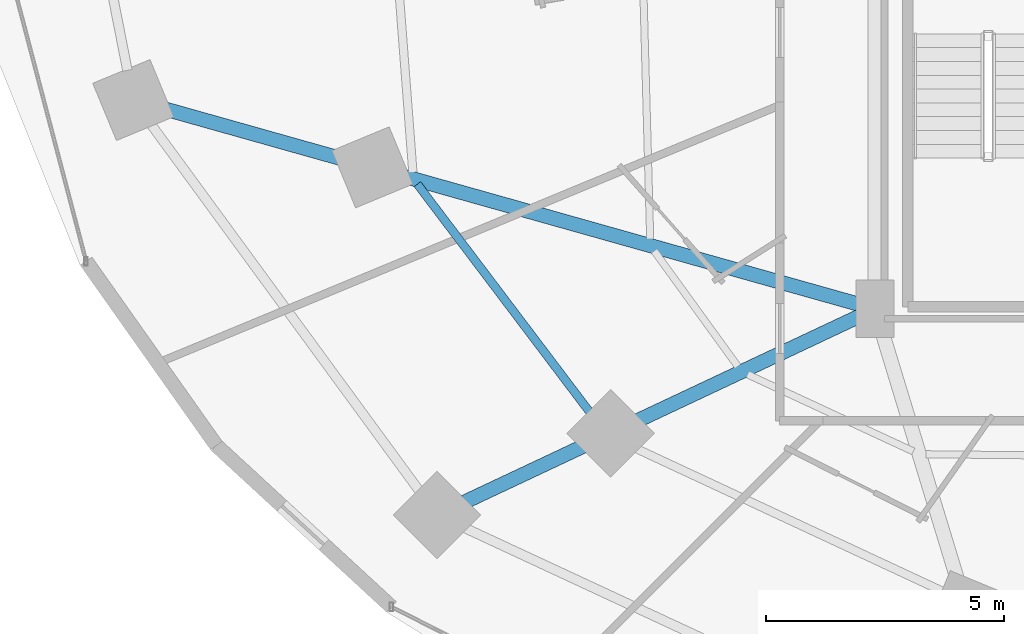
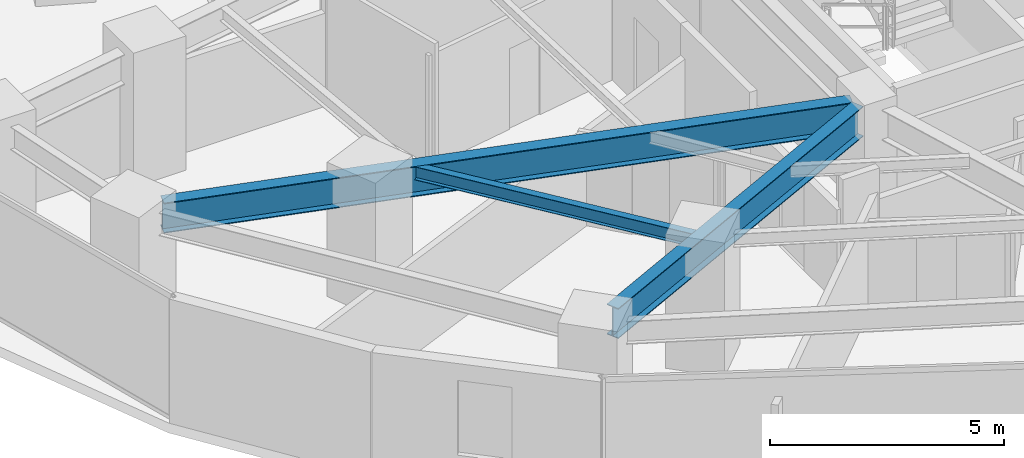
# One storey, part 4 of 34: 3 beams.
"""IFC4 building model written with IfcOpenShell, lengths in metres."""

from ifc_helpers import new_model, si_unit, direction, frame, origin, origin_2d, place, context, subcontext, project, spatial, i_section, extrude, material, material_profile, profile_set, type_object, element, save


model = new_model("IFC4")

# Units and contexts
model_context = context("Model", 3, precision=1e-05, world=origin(), true_north=direction((0.0, 1.0)))
body_context = subcontext(model_context, "Body", "Model", "MODEL_VIEW")
ifc_project = project(units=[si_unit("LENGTHUNIT", "METRE"), si_unit("AREAUNIT", "SQUARE_METRE"), si_unit("VOLUMEUNIT", "CUBIC_METRE"), si_unit("PLANEANGLEUNIT", "RADIAN"), si_unit("MASSUNIT", "GRAM", prefix="KILO")], contexts=[model_context])

# Site, building, storey
site_placement = place(None, origin())
site = spatial("IfcSite", under=ifc_project, at=site_placement, CompositionType="ELEMENT")
building_placement = place(site_placement, origin())
building = spatial("IfcBuilding", under=site, at=building_placement, Name="Vorneva Point Tower", CompositionType="ELEMENT")
storey_placement = place(building_placement, frame((0.0, 0.0, 31.0)))
storey = spatial("IfcBuildingStorey", under=building, at=storey_placement, Name="L07", CompositionType="ELEMENT", Elevation=31.0)

# Beams
ifc_material = material(Name="Steel S355", Category="steel")
ifc_material_profile_1 = material_profile(ifc_material, i_section(OverallWidth=0.300048828125, OverallDepth=0.7880859375, WebThickness=0.014404296875, FlangeThickness=0.02197265625, at=origin_2d()), Name="80Sh1")
ifc_profile_set_1 = profile_set([ifc_material_profile_1], Name="Steel S355")
beam_type_1 = type_object("IfcBeamType", Name="BM-GRD-80Sh1", PredefinedType="USERDEFINED", material=ifc_profile_set_1)
beam_1_placement = place(storey_placement, frame((12.30224609375, 20.65673828125, 2.845947265625), z_axis=(0.962603400973, -0.270914548217, 0.0), x_axis=(0.270914548217, 0.962603400973, 0.0)))
element("IfcBeam", 1, at=beam_1_placement, inside=storey, type_object=beam_type_1, Name="L07 Radial Primary Girder 10", ObjectType="GIRDER", PredefinedType="USERDEFINED", context=body_context, shape_type="SweptSolid", body=[
    extrude(i_section(OverallWidth=0.300048828125, OverallDepth=0.7880859375, WebThickness=0.014404296875, FlangeThickness=0.02197265625, at=origin_2d()), origin(), (0.0, 0.0, 1.0), 15.188232421875),
])
beam_2_placement = place(storey_placement, frame((18.638427734375, 12.39599609375, 2.845947265625), z_axis=(0.904758409006, 0.425925135831, 0.0), x_axis=(-0.425925135831, 0.904758409006, 0.0)))
element("IfcBeam", 2, at=beam_2_placement, inside=storey, type_object=beam_type_1, Name="L07 Radial Primary Girder 11", ObjectType="GIRDER", PredefinedType="USERDEFINED", context=body_context, shape_type="SweptSolid", body=[
    extrude(i_section(OverallWidth=0.300048828125, OverallDepth=0.7880859375, WebThickness=0.014404296875, FlangeThickness=0.02197265625, at=origin_2d()), origin(), (0.0, 0.0, 1.0), 9.177978515625),
])
ifc_material_profile_2 = material_profile(ifc_material, i_section(OverallWidth=0.174072265625, OverallDepth=0.345947265625, WebThickness=0.006103515625, FlangeThickness=0.009033203125, at=origin_2d()), Name="35B1")
ifc_profile_set_2 = profile_set([ifc_material_profile_2], Name="Steel S355")
beam_type_2 = type_object("IfcBeamType", Name="BM-SEC-35B1", PredefinedType="BEAM", material=ifc_profile_set_2)
beam_3_placement = place(storey_placement, frame((17.648681640625, 19.0654296875, 3.06689453125), z_axis=(0.603158130298, -0.797621633267, 0.0), x_axis=(0.797621633267, 0.603158130298, 0.0)))
element("IfcBeam", 3, at=beam_3_placement, inside=storey, type_object=beam_type_2, Name="L07 Secondary Floor Beam 1.10", PredefinedType="BEAM", context=body_context, shape_type="SweptSolid", body=[
    extrude(i_section(OverallWidth=0.174072265625, OverallDepth=0.345947265625, WebThickness=0.006103515625, FlangeThickness=0.009033203125, at=origin_2d()), origin(), (0.0, 0.0, 1.0), 6.459228515625),
])

save(model, "model.ifc")
